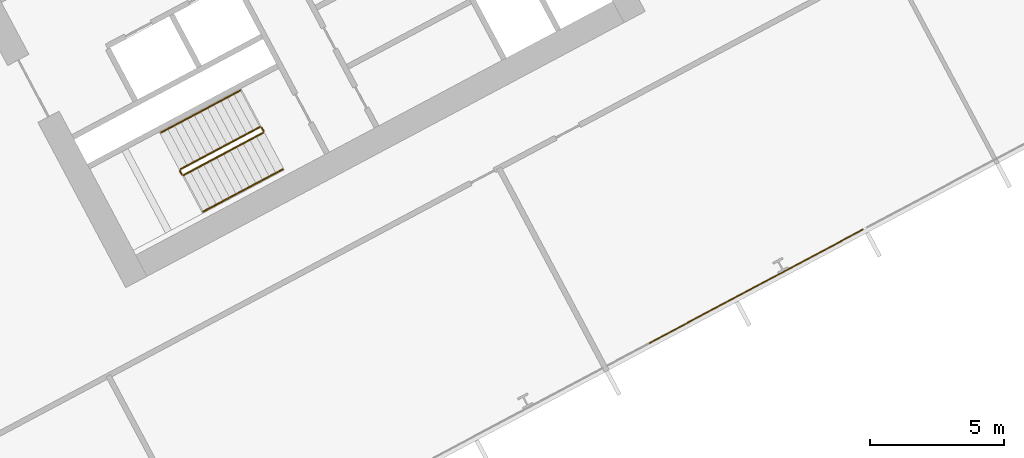
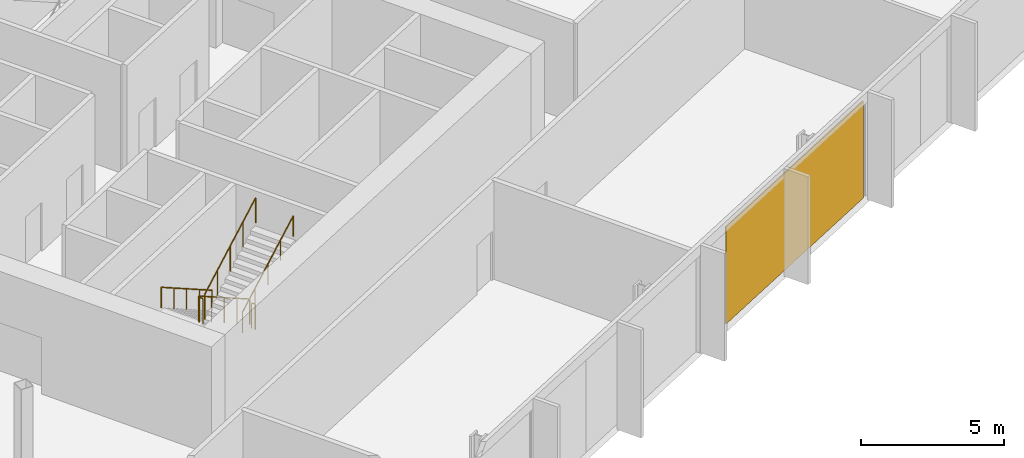
# One storey, part 27 of 31: 6 railings, 1 covering, 1 element without a shape of its own.
"""IFC4 building model written with IfcOpenShell, lengths in metres."""

from ifc_helpers import new_model, si_unit, direction, frame, origin, origin_2d, place, context, subcontext, project, spatial, polyline, rectangle, outline, extrude, material, layer, layer_set, type_object, element, aggregate, save


model = new_model("IFC4")

# Units and contexts
model_context = context("Model", 3, precision=1e-05, world=origin(), true_north=direction((0.0, 1.0)))
body_context = subcontext(model_context, "Body", "Model", "MODEL_VIEW")
ifc_project = project(units=[si_unit("LENGTHUNIT", "METRE"), si_unit("AREAUNIT", "SQUARE_METRE"), si_unit("VOLUMEUNIT", "CUBIC_METRE"), si_unit("PLANEANGLEUNIT", "RADIAN"), si_unit("MASSUNIT", "GRAM", prefix="KILO")], contexts=[model_context])

# Site, building, storey
site_placement = place(None, origin())
site = spatial("IfcSite", under=ifc_project, at=site_placement, CompositionType="ELEMENT")
building_placement = place(site_placement, origin())
building = spatial("IfcBuilding", under=site, at=building_placement, Name="Cormorant Relay Tower", CompositionType="ELEMENT")
storey_placement = place(building_placement, frame((0.0, 0.0, 93.800048828125)))
storey = spatial("IfcBuildingStorey", under=building, at=storey_placement, Name="L18", CompositionType="ELEMENT", Elevation=93.800048828125)

# Curtain wall, covering
ifc_material_1 = material(Name="Aluminium 6063-T6 anodised bronze", Category="aluminium")
ifc_layer_1 = layer(ifc_material_1, 0.199951171875)
ifc_layer_set_1 = layer_set([ifc_layer_1], Name="CW1 unitised bronze curtain wall with vertical fins")
curtain_wall_type = type_object("IfcCurtainWallType", Name="CW1 unitised bronze curtain wall with vertical fins", PredefinedType="NOTDEFINED", material=ifc_layer_set_1)
curtain_wall_placement = place(storey_placement, origin())
curtain_wall = element("IfcCurtainWall", 1, at=curtain_wall_placement, inside=storey, type_object=curtain_wall_type, Name="CW1 curtain wall 2", PredefinedType="NOTDEFINED")
ifc_material_2 = material(Name="Pale bronze anodised aluminium insulated panel", Category="aluminium")
ifc_layer_2 = layer(ifc_material_2, 0.0400390625)
ifc_layer_set_2 = layer_set([ifc_layer_2], Name="CW1 pale bronze insulated panel 40")
covering_type = type_object("IfcCoveringType", Name="CW1 pale bronze insulated panel 40", PredefinedType="CLADDING", material=ifc_layer_set_2)
covering_placement = place(storey_placement, frame((42.38623046875, -1.269287109375, 0.0), z_axis=(0.0, 0.0, 1.0), x_axis=(0.882947592859, 0.469471562786, 0.0)))
covering = element("IfcCovering", 2, at=covering_placement, type_object=covering_type, Name="CW1 panel S09", PredefinedType="CLADDING", context=body_context, shape_type="SweptSolid", body=[
    extrude(rectangle(XDim=9.07373046875, YDim=0.0400390625, at=origin_2d()), origin(), (0.0, 0.0, 1.0), 4.14990234375),
])
aggregate(curtain_wall, [covering])

# Railings
ifc_material_3 = material(Name="Steel ASTM A572 Grade 50 (Fy 345 MPa)", Category="steel")
railing_type_1 = type_object("IfcRailingType", Name="Stair guard 1100", PredefinedType="GUARDRAIL", material=ifc_material_3)
railing_1_placement = place(storey_placement, frame((23.83837890625, 4.6904296875, 0.1767578125)))
element("IfcRailing", 3, at=railing_1_placement, inside=storey, type_object=railing_type_1, Name="L18 B1 stair guard 1", PredefinedType="GUARDRAIL", context=body_context, shape_type="SweptSolid", body=[
    extrude(outline(polyline([(0.022216796875, 0.00927734375), (0.00927734375, 0.022216796875), (-0.00927734375, 0.022216796875), (-0.022216796875, 0.00927734375), (-0.022216796875, -0.00927734375), (-0.00927734375, -0.022216796875), (0.00927734375, -0.022216796875), (0.022216796875, -0.00927734375), (0.022216796875, 0.00927734375)])), frame((0.0, 0.0, 1.076171875), z_axis=(-0.746416176936, -0.396856066424, 0.534198608526), x_axis=(0.46945269911, -0.882957622595, 0.0)), (0.0, 0.0, 1.0), 3.974609375),
    extrude(outline(polyline([(0.019287109375, 0.008056640625), (0.008056640625, 0.019287109375), (-0.008056640625, 0.019287109375), (-0.019287109375, 0.008056640625), (-0.019287109375, -0.008056640625), (-0.008056640625, -0.019287109375), (0.008056640625, -0.019287109375), (0.019287109375, -0.008056640625), (0.019287109375, 0.008056640625)])), origin(), (0.0, 0.0, 1.0), 1.052001953125),
    extrude(outline(polyline([(0.019287109375, 0.008056640625), (0.008056640625, 0.019287109375), (-0.008056640625, 0.019287109375), (-0.019287109375, 0.008056640625), (-0.019287109375, -0.008056640625), (-0.008056640625, -0.019287109375), (0.008056640625, -0.019287109375), (0.019287109375, -0.008056640625), (0.019287109375, 0.008056640625)])), frame((-0.74169921875, -0.394287109375, 0.53076171875)), (0.0, 0.0, 1.0), 1.052001953125),
    extrude(outline(polyline([(0.019287109375, 0.008056640625), (0.008056640625, 0.019287109375), (-0.008056640625, 0.019287109375), (-0.019287109375, 0.008056640625), (-0.019287109375, -0.008056640625), (-0.008056640625, -0.019287109375), (0.008056640625, -0.019287109375), (0.019287109375, -0.008056640625), (0.019287109375, 0.008056640625)])), frame((-1.4833984375, -0.78857421875, 1.0615234375)), (0.0, 0.0, 1.0), 1.052001953125),
    extrude(outline(polyline([(0.019287109375, 0.008056640625), (0.008056640625, 0.019287109375), (-0.008056640625, 0.019287109375), (-0.019287109375, 0.008056640625), (-0.019287109375, -0.008056640625), (-0.008056640625, -0.019287109375), (0.008056640625, -0.019287109375), (0.019287109375, -0.008056640625), (0.019287109375, 0.008056640625)])), frame((-2.22509765625, -1.18310546875, 1.592529296875)), (0.0, 0.0, 1.0), 1.052001953125),
    extrude(outline(polyline([(0.019287109375, 0.008056640625), (0.008056640625, 0.019287109375), (-0.008056640625, 0.019287109375), (-0.019287109375, 0.008056640625), (-0.019287109375, -0.008056640625), (-0.008056640625, -0.019287109375), (0.008056640625, -0.019287109375), (0.019287109375, -0.008056640625), (0.019287109375, 0.008056640625)])), frame((-2.966796875, -1.577392578125, 2.123291015625)), (0.0, 0.0, 1.0), 1.052001953125),
])
railing_2_placement = place(storey_placement, frame((20.850830078125, 3.04541015625, 2.300048828125)))
element("IfcRailing", 4, at=railing_2_placement, inside=storey, type_object=railing_type_1, Name="L18 B1 stair guard 2", PredefinedType="GUARDRAIL", context=body_context, shape_type="SweptSolid", body=[
    extrude(outline(polyline([(0.022216796875, 0.00927734375), (0.00927734375, 0.022216796875), (-0.00927734375, 0.022216796875), (-0.022216796875, 0.00927734375), (-0.022216796875, -0.00927734375), (-0.00927734375, -0.022216796875), (0.00927734375, -0.022216796875), (0.022216796875, -0.00927734375), (0.022216796875, 0.00927734375)])), frame((0.0, 0.0, 1.076171875), z_axis=(0.469828648786, -0.882757634224, 0.0), x_axis=(0.882757634224, 0.469828648786, 0.0)), (0.0, 0.0, 1.0), 0.150146484375),
    extrude(outline(polyline([(0.019287109375, 0.008056640625), (0.008056640625, 0.019287109375), (-0.008056640625, 0.019287109375), (-0.019287109375, 0.008056640625), (-0.019287109375, -0.008056640625), (-0.008056640625, -0.019287109375), (0.008056640625, -0.019287109375), (0.019287109375, -0.008056640625), (0.019287109375, 0.008056640625)])), origin(), (0.0, 0.0, 1.0), 1.052001953125),
    extrude(outline(polyline([(0.019287109375, 0.008056640625), (0.008056640625, 0.019287109375), (-0.008056640625, 0.019287109375), (-0.019287109375, 0.008056640625), (-0.019287109375, -0.008056640625), (-0.008056640625, -0.019287109375), (0.008056640625, -0.019287109375), (0.019287109375, -0.008056640625), (0.019287109375, 0.008056640625)])), frame((0.070556640625, -0.132568359375, 0.0)), (0.0, 0.0, 1.0), 1.052001953125),
])
railing_3_placement = place(storey_placement, frame((20.989013671875, 2.892333984375, 2.476806640625)))
element("IfcRailing", 5, at=railing_3_placement, inside=storey, type_object=railing_type_1, Name="L18 B1 stair guard 3", PredefinedType="GUARDRAIL", context=body_context, shape_type="SweptSolid", body=[
    extrude(outline(polyline([(0.022216796875, 0.00927734375), (0.00927734375, 0.022216796875), (-0.00927734375, 0.022216796875), (-0.022216796875, 0.00927734375), (-0.022216796875, -0.00927734375), (-0.00927734375, -0.022216796875), (0.00927734375, -0.022216796875), (0.022216796875, -0.00927734375), (0.022216796875, 0.00927734375)])), frame((0.0, 0.0, 1.076171875), z_axis=(0.746413465702, 0.396887285154, 0.534179203172), x_axis=(-0.469482818608, 0.88294160794, 0.0)), (0.0, 0.0, 1.0), 3.974365234375),
    extrude(outline(polyline([(0.019287109375, 0.008056640625), (0.008056640625, 0.019287109375), (-0.008056640625, 0.019287109375), (-0.019287109375, 0.008056640625), (-0.019287109375, -0.008056640625), (-0.008056640625, -0.019287109375), (0.008056640625, -0.019287109375), (0.019287109375, -0.008056640625), (0.019287109375, 0.008056640625)])), origin(), (0.0, 0.0, 1.0), 1.052001953125),
    extrude(outline(polyline([(0.019287109375, 0.008056640625), (0.008056640625, 0.019287109375), (-0.008056640625, 0.019287109375), (-0.019287109375, 0.008056640625), (-0.019287109375, -0.008056640625), (-0.008056640625, -0.019287109375), (0.008056640625, -0.019287109375), (0.019287109375, -0.008056640625), (0.019287109375, 0.008056640625)])), frame((0.74169921875, 0.394287109375, 0.53076171875)), (0.0, 0.0, 1.0), 1.052001953125),
    extrude(outline(polyline([(0.019287109375, 0.008056640625), (0.008056640625, 0.019287109375), (-0.008056640625, 0.019287109375), (-0.019287109375, 0.008056640625), (-0.019287109375, -0.008056640625), (-0.008056640625, -0.019287109375), (0.008056640625, -0.019287109375), (0.019287109375, -0.008056640625), (0.019287109375, 0.008056640625)])), frame((1.4833984375, 0.78857421875, 1.0615234375)), (0.0, 0.0, 1.0), 1.052001953125),
    extrude(outline(polyline([(0.019287109375, 0.008056640625), (0.008056640625, 0.019287109375), (-0.008056640625, 0.019287109375), (-0.019287109375, 0.008056640625), (-0.019287109375, -0.008056640625), (-0.008056640625, -0.019287109375), (0.008056640625, -0.019287109375), (0.019287109375, -0.008056640625), (0.019287109375, 0.008056640625)])), frame((2.224853515625, 1.18310546875, 1.59228515625)), (0.0, 0.0, 1.0), 1.052001953125),
    extrude(outline(polyline([(0.019287109375, 0.008056640625), (0.008056640625, 0.019287109375), (-0.008056640625, 0.019287109375), (-0.019287109375, 0.008056640625), (-0.019287109375, -0.008056640625), (-0.008056640625, -0.019287109375), (0.008056640625, -0.019287109375), (0.019287109375, -0.008056640625), (0.019287109375, 0.008056640625)])), frame((2.966552734375, 1.577392578125, 2.123046875)), (0.0, 0.0, 1.0), 1.052001953125),
])
railing_4_placement = place(storey_placement, frame((23.906005859375, 4.669677734375, 0.0)))
element("IfcRailing", 6, at=railing_4_placement, inside=storey, type_object=railing_type_1, Name="L18 B1 stair guard 4", PredefinedType="GUARDRAIL", context=body_context, shape_type="SweptSolid", body=[
    extrude(outline(polyline([(0.022216796875, 0.00927734375), (0.00927734375, 0.022216796875), (-0.00927734375, 0.022216796875), (-0.022216796875, 0.00927734375), (-0.022216796875, -0.00927734375), (-0.00927734375, -0.022216796875), (0.00927734375, -0.022216796875), (0.022216796875, -0.00927734375), (0.022216796875, 0.00927734375)])), frame((0.0, 0.0, 1.076171875), z_axis=(0.469234640946, -0.883073525669, 0.0), x_axis=(0.883073525669, 0.469234640946, 0.0)), (0.0, 0.0, 1.0), 0.14990234375),
    extrude(outline(polyline([(0.019287109375, 0.008056640625), (0.008056640625, 0.019287109375), (-0.008056640625, 0.019287109375), (-0.019287109375, 0.008056640625), (-0.019287109375, -0.008056640625), (-0.008056640625, -0.019287109375), (0.008056640625, -0.019287109375), (0.019287109375, -0.008056640625), (0.019287109375, 0.008056640625)])), origin(), (0.0, 0.0, 1.0), 1.052001953125),
    extrude(outline(polyline([(0.019287109375, 0.008056640625), (0.008056640625, 0.019287109375), (-0.008056640625, 0.019287109375), (-0.019287109375, 0.008056640625), (-0.019287109375, -0.008056640625), (-0.008056640625, -0.019287109375), (0.008056640625, -0.019287109375), (0.019287109375, -0.008056640625), (0.019287109375, 0.008056640625)])), frame((0.0703125, -0.13232421875, 0.0)), (0.0, 0.0, 1.0), 1.052001953125),
])
ifc_material_4 = material(Name="Steel ASTM A572 Grade 50 (Fy 345 MPa)", Category="steel")
railing_type_2 = type_object("IfcRailingType", Name="Stair handrail 900", PredefinedType="HANDRAIL", material=ifc_material_4)
railing_5_placement = place(storey_placement, frame((23.110595703125, 6.05908203125, 0.1767578125)))
element("IfcRailing", 7, at=railing_5_placement, inside=storey, type_object=railing_type_2, Name="L18 B1 stair handrail 1", PredefinedType="HANDRAIL", context=body_context, shape_type="SweptSolid", body=[
    extrude(outline(polyline([(0.022216796875, 0.00927734375), (0.00927734375, 0.022216796875), (-0.00927734375, 0.022216796875), (-0.022216796875, 0.00927734375), (-0.022216796875, -0.00927734375), (-0.00927734375, -0.022216796875), (0.00927734375, -0.022216796875), (0.022216796875, -0.00927734375), (0.022216796875, 0.00927734375)])), frame((0.0, 0.0, 0.8759765625), z_axis=(-0.746388972956, -0.396874261729, 0.534223100798), x_axis=(0.469482818608, -0.88294160794, 0.0)), (0.0, 0.0, 1.0), 3.974609375),
    extrude(outline(polyline([(0.019287109375, 0.008056640625), (0.008056640625, 0.019287109375), (-0.008056640625, 0.019287109375), (-0.019287109375, 0.008056640625), (-0.019287109375, -0.008056640625), (-0.008056640625, -0.019287109375), (0.008056640625, -0.019287109375), (0.019287109375, -0.008056640625), (0.019287109375, 0.008056640625)])), origin(), (0.0, 0.0, 1.0), 0.851806640625),
    extrude(outline(polyline([(0.019287109375, 0.008056640625), (0.008056640625, 0.019287109375), (-0.008056640625, 0.019287109375), (-0.019287109375, 0.008056640625), (-0.019287109375, -0.008056640625), (-0.008056640625, -0.019287109375), (0.008056640625, -0.019287109375), (0.019287109375, -0.008056640625), (0.019287109375, 0.008056640625)])), frame((-0.74169921875, -0.394287109375, 0.53076171875)), (0.0, 0.0, 1.0), 0.851806640625),
    extrude(outline(polyline([(0.019287109375, 0.008056640625), (0.008056640625, 0.019287109375), (-0.008056640625, 0.019287109375), (-0.019287109375, 0.008056640625), (-0.019287109375, -0.008056640625), (-0.008056640625, -0.019287109375), (0.008056640625, -0.019287109375), (0.019287109375, -0.008056640625), (0.019287109375, 0.008056640625)])), frame((-1.4833984375, -0.78857421875, 1.0615234375)), (0.0, 0.0, 1.0), 0.851806640625),
    extrude(outline(polyline([(0.019287109375, 0.008056640625), (0.008056640625, 0.019287109375), (-0.008056640625, 0.019287109375), (-0.019287109375, 0.008056640625), (-0.019287109375, -0.008056640625), (-0.008056640625, -0.019287109375), (0.008056640625, -0.019287109375), (0.019287109375, -0.008056640625), (0.019287109375, 0.008056640625)])), frame((-2.224853515625, -1.18310546875, 1.592529296875)), (0.0, 0.0, 1.0), 0.851806640625),
    extrude(outline(polyline([(0.019287109375, 0.008056640625), (0.008056640625, 0.019287109375), (-0.008056640625, 0.019287109375), (-0.019287109375, 0.008056640625), (-0.019287109375, -0.008056640625), (-0.008056640625, -0.019287109375), (0.008056640625, -0.019287109375), (0.019287109375, -0.008056640625), (0.019287109375, 0.008056640625)])), frame((-2.966552734375, -1.577392578125, 2.123291015625)), (0.0, 0.0, 1.0), 0.851806640625),
])
railing_6_placement = place(storey_placement, frame((21.716552734375, 1.523681640625, 2.476806640625)))
element("IfcRailing", 8, at=railing_6_placement, inside=storey, type_object=railing_type_2, Name="L18 B1 stair handrail 2", PredefinedType="HANDRAIL", context=body_context, shape_type="SweptSolid", body=[
    extrude(outline(polyline([(0.022216796875, 0.00927734375), (0.00927734375, 0.022216796875), (-0.00927734375, 0.022216796875), (-0.022216796875, 0.00927734375), (-0.022216796875, -0.00927734375), (-0.00927734375, -0.022216796875), (0.00927734375, -0.022216796875), (0.022216796875, -0.00927734375), (0.022216796875, 0.00927734375)])), frame((0.0, 0.0, 0.8759765625), z_axis=(0.746440668329, 0.396869088057, 0.534154711306), x_axis=(-0.46945269911, 0.882957622595, 0.0)), (0.0, 0.0, 1.0), 3.974609375),
    extrude(outline(polyline([(0.019287109375, 0.008056640625), (0.008056640625, 0.019287109375), (-0.008056640625, 0.019287109375), (-0.019287109375, 0.008056640625), (-0.019287109375, -0.008056640625), (-0.008056640625, -0.019287109375), (0.008056640625, -0.019287109375), (0.019287109375, -0.008056640625), (0.019287109375, 0.008056640625)])), origin(), (0.0, 0.0, 1.0), 0.851806640625),
    extrude(outline(polyline([(0.019287109375, 0.008056640625), (0.008056640625, 0.019287109375), (-0.008056640625, 0.019287109375), (-0.019287109375, 0.008056640625), (-0.019287109375, -0.008056640625), (-0.008056640625, -0.019287109375), (0.008056640625, -0.019287109375), (0.019287109375, -0.008056640625), (0.019287109375, 0.008056640625)])), frame((0.74169921875, 0.394287109375, 0.53076171875)), (0.0, 0.0, 1.0), 0.851806640625),
    extrude(outline(polyline([(0.019287109375, 0.008056640625), (0.008056640625, 0.019287109375), (-0.008056640625, 0.019287109375), (-0.019287109375, 0.008056640625), (-0.019287109375, -0.008056640625), (-0.008056640625, -0.019287109375), (0.008056640625, -0.019287109375), (0.019287109375, -0.008056640625), (0.019287109375, 0.008056640625)])), frame((1.4833984375, 0.78857421875, 1.0615234375)), (0.0, 0.0, 1.0), 0.851806640625),
    extrude(outline(polyline([(0.019287109375, 0.008056640625), (0.008056640625, 0.019287109375), (-0.008056640625, 0.019287109375), (-0.019287109375, 0.008056640625), (-0.019287109375, -0.008056640625), (-0.008056640625, -0.019287109375), (0.008056640625, -0.019287109375), (0.019287109375, -0.008056640625), (0.019287109375, 0.008056640625)])), frame((2.22509765625, 1.18310546875, 1.59228515625)), (0.0, 0.0, 1.0), 0.851806640625),
    extrude(outline(polyline([(0.019287109375, 0.008056640625), (0.008056640625, 0.019287109375), (-0.008056640625, 0.019287109375), (-0.019287109375, 0.008056640625), (-0.019287109375, -0.008056640625), (-0.008056640625, -0.019287109375), (0.008056640625, -0.019287109375), (0.019287109375, -0.008056640625), (0.019287109375, 0.008056640625)])), frame((2.966796875, 1.577392578125, 2.123046875)), (0.0, 0.0, 1.0), 0.851806640625),
])

save(model, "model.ifc")
